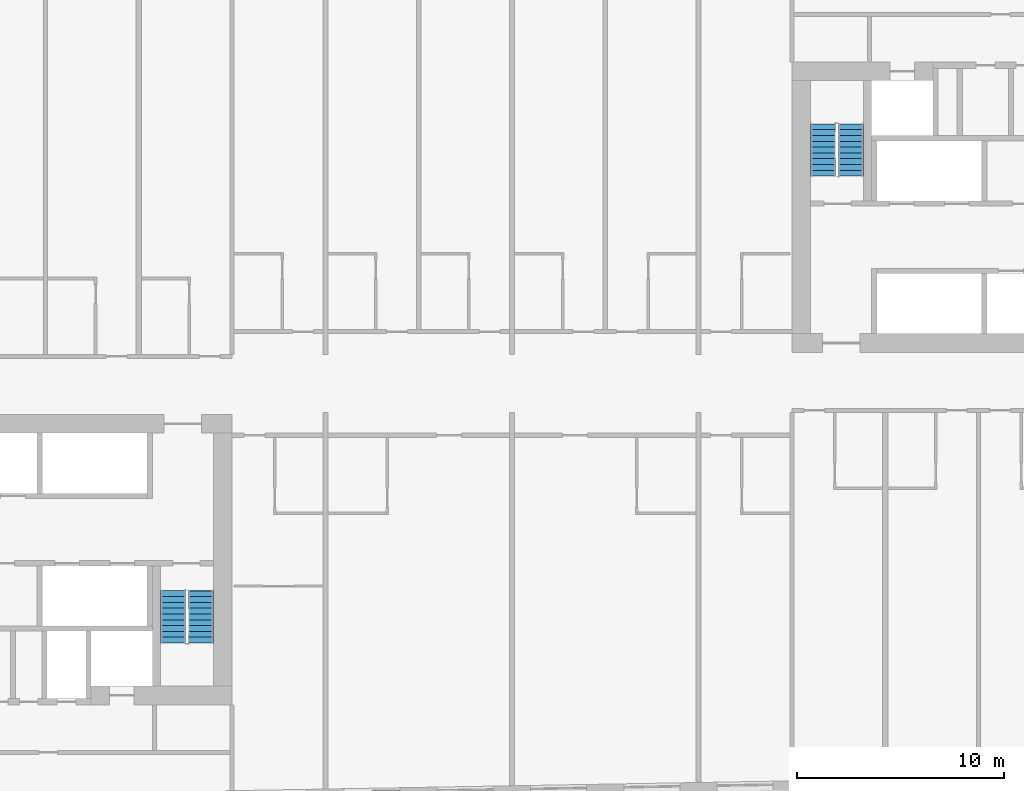
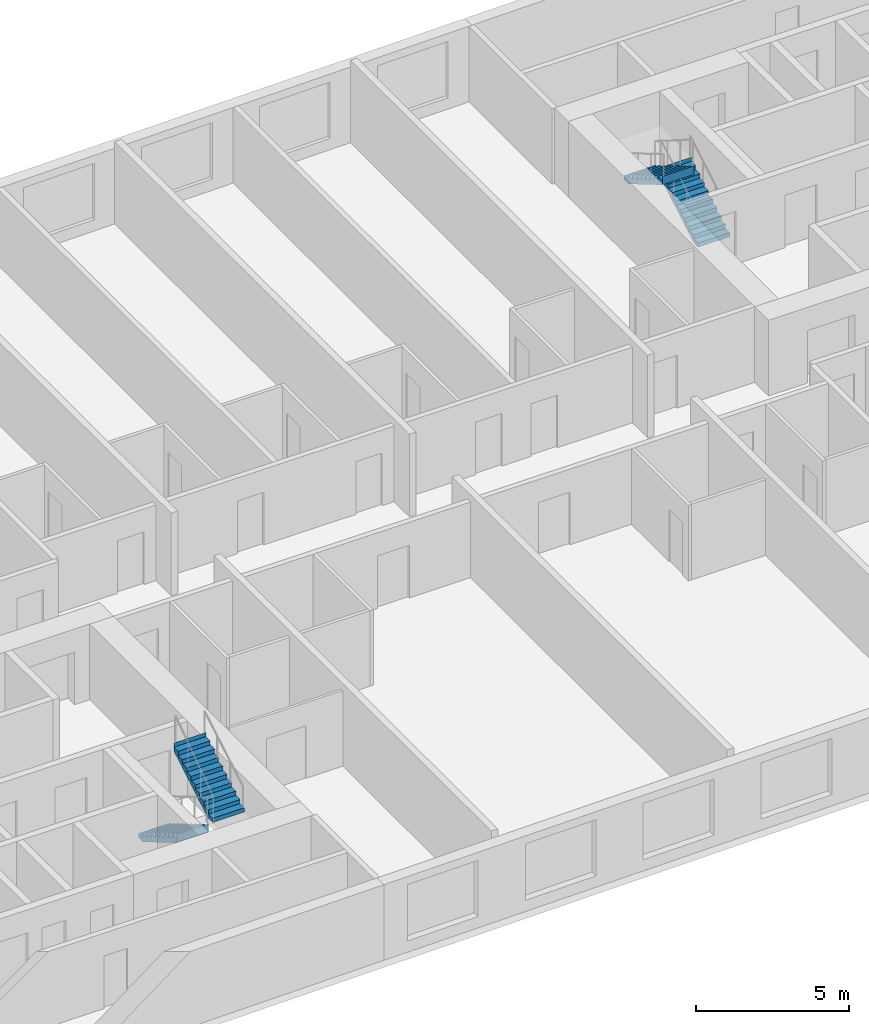
# One storey, part 9 of 11: 4 stair flights, 2 elements without a shape of their own.
"""IFC4 building model written with IfcOpenShell, lengths in metres."""

from ifc_helpers import new_model, si_unit, direction, frame, origin, place, context, subcontext, project, spatial, faceted_brep, material, type_object, element, aggregate, save


model = new_model("IFC4")

# Units and contexts
model_context = context("Model", 3, precision=1e-05, world=origin(), true_north=direction((0.0, 1.0)))
body_context = subcontext(model_context, "Body", "Model", "MODEL_VIEW")
ifc_project = project(units=[si_unit("LENGTHUNIT", "METRE"), si_unit("AREAUNIT", "SQUARE_METRE"), si_unit("VOLUMEUNIT", "CUBIC_METRE"), si_unit("PLANEANGLEUNIT", "RADIAN"), si_unit("MASSUNIT", "GRAM", prefix="KILO")], contexts=[model_context])

# Site, building, storey
site_placement = place(None, origin())
site = spatial("IfcSite", under=ifc_project, at=site_placement, CompositionType="ELEMENT")
building_placement = place(site_placement, origin())
building = spatial("IfcBuilding", under=site, at=building_placement, Name="Kajstack Hotel Tower", CompositionType="ELEMENT")
storey_placement = place(building_placement, frame((0.0, 0.0, 240.800048828125)))
storey = spatial("IfcBuildingStorey", under=building, at=storey_placement, Name="L59", CompositionType="ELEMENT", Elevation=240.800048828125)

# Stair, stair flights
ifc_material = material(Name="Concrete C40/50", Category="concrete")
stair_type = type_object("IfcStairType", Name="Exit stair 1200", PredefinedType="HALF_TURN_STAIR", material=ifc_material)
stair_1_placement = place(storey_placement, origin())
stair_1 = element("IfcStair", 1, at=stair_1_placement, inside=storey, type_object=stair_type, Name="L59 stair W2", PredefinedType="HALF_TURN_STAIR")
stair_flight_type = type_object("IfcStairFlightType", Name="Exit stair flight 1200", PredefinedType="STRAIGHT", material=ifc_material)
stair_flight_1_placement = place(storey_placement, frame((-16.35009765625, -10.0, 0.0), z_axis=(0.0, 0.0, 1.0), x_axis=(0.0, -1.0, 0.0)))
stair_flight_1 = element("IfcStairFlight", 2, at=stair_flight_1_placement, type_object=stair_flight_type, Name="W2 flight 1", NumberOfRisers=10, NumberOfTreads=9, PredefinedType="STRAIGHT", RiserHeight=0.165, TreadLength=0.28, context=body_context, shape_type="Brep", body=[
    faceted_brep([(0.295654296875, -0.60009765625, 0.0), (2.5205078125, -0.60009765625, 1.31103515625), (2.5205078125, -0.60009765625, 1.64990234375), (2.52001953125, -0.60009765625, 1.64990234375), (2.52001953125, -0.60009765625, 1.485107421875), (2.239990234375, -0.60009765625, 1.485107421875), (2.239990234375, -0.60009765625, 1.320068359375), (1.9599609375, -0.60009765625, 1.320068359375), (1.9599609375, -0.60009765625, 1.155029296875), (1.679931640625, -0.60009765625, 1.155029296875), (1.679931640625, -0.60009765625, 0.989990234375), (1.39990234375, -0.60009765625, 0.989990234375), (1.39990234375, -0.60009765625, 0.824951171875), (1.1201171875, -0.60009765625, 0.824951171875), (1.1201171875, -0.60009765625, 0.659912109375), (0.840087890625, -0.60009765625, 0.659912109375), (0.840087890625, -0.60009765625, 0.4951171875), (0.56005859375, -0.60009765625, 0.4951171875), (0.56005859375, -0.60009765625, 0.330078125), (0.280029296875, -0.60009765625, 0.330078125), (0.280029296875, -0.60009765625, 0.1650390625), (-0.00048828125, -0.60009765625, 0.1650390625), (-0.00048828125, -0.60009765625, 0.0), (-0.00048828125, 0.60009765625, 0.0), (-0.00048828125, 0.60009765625, 0.1650390625), (0.280029296875, 0.60009765625, 0.1650390625), (0.280029296875, 0.60009765625, 0.330078125), (0.56005859375, 0.60009765625, 0.330078125), (0.56005859375, 0.60009765625, 0.4951171875), (0.840087890625, 0.60009765625, 0.4951171875), (0.840087890625, 0.60009765625, 0.659912109375), (1.1201171875, 0.60009765625, 0.659912109375), (1.1201171875, 0.60009765625, 0.824951171875), (1.39990234375, 0.60009765625, 0.824951171875), (1.39990234375, 0.60009765625, 0.989990234375), (1.679931640625, 0.60009765625, 0.989990234375), (1.679931640625, 0.60009765625, 1.155029296875), (1.9599609375, 0.60009765625, 1.155029296875), (1.9599609375, 0.60009765625, 1.320068359375), (2.239990234375, 0.60009765625, 1.320068359375), (2.239990234375, 0.60009765625, 1.485107421875), (2.52001953125, 0.60009765625, 1.485107421875), (2.52001953125, 0.60009765625, 1.64990234375), (2.5205078125, 0.60009765625, 1.64990234375), (2.5205078125, 0.60009765625, 1.31103515625), (0.295654296875, 0.60009765625, 0.0), (-0.00048828125, -0.300048828125, 0.1650390625), (-0.00048828125, 0.0, 0.1650390625), (-0.00048828125, 0.300048828125, 0.1650390625), (-0.00048828125, 0.300048828125, 0.0), (-0.00048828125, 0.0, 0.0), (-0.00048828125, -0.300048828125, 0.0), (0.280029296875, -0.300048828125, 0.1650390625), (0.280029296875, 0.0, 0.1650390625), (0.280029296875, 0.300048828125, 0.1650390625), (0.280029296875, -0.300048828125, 0.330078125), (0.280029296875, 0.0, 0.330078125), (0.280029296875, 0.300048828125, 0.330078125), (0.56005859375, -0.300048828125, 0.330078125), (0.56005859375, 0.0, 0.330078125), (0.56005859375, 0.300048828125, 0.330078125), (0.56005859375, -0.300048828125, 0.4951171875), (0.56005859375, 0.0, 0.4951171875), (0.56005859375, 0.300048828125, 0.4951171875), (0.840087890625, -0.300048828125, 0.4951171875), (0.840087890625, 0.0, 0.4951171875), (0.840087890625, 0.300048828125, 0.4951171875), (0.840087890625, -0.300048828125, 0.659912109375), (0.840087890625, 0.0, 0.659912109375), (0.840087890625, 0.300048828125, 0.659912109375), (1.1201171875, -0.300048828125, 0.659912109375), (1.1201171875, 0.0, 0.659912109375), (1.1201171875, 0.300048828125, 0.659912109375), (1.1201171875, -0.300048828125, 0.824951171875), (1.1201171875, 0.0, 0.824951171875), (1.1201171875, 0.300048828125, 0.824951171875), (1.39990234375, -0.300048828125, 0.824951171875), (1.39990234375, 0.0, 0.824951171875), (1.39990234375, 0.300048828125, 0.824951171875), (1.39990234375, -0.300048828125, 0.989990234375), (1.39990234375, 0.0, 0.989990234375), (1.39990234375, 0.300048828125, 0.989990234375), (1.679931640625, -0.300048828125, 0.989990234375), (1.679931640625, 0.0, 0.989990234375), (1.679931640625, 0.300048828125, 0.989990234375), (1.679931640625, -0.300048828125, 1.155029296875), (1.679931640625, 0.0, 1.155029296875), (1.679931640625, 0.300048828125, 1.155029296875), (1.9599609375, -0.300048828125, 1.155029296875), (1.9599609375, 0.0, 1.155029296875), (1.9599609375, 0.300048828125, 1.155029296875), (1.9599609375, -0.300048828125, 1.320068359375), (1.9599609375, 0.0, 1.320068359375), (1.9599609375, 0.300048828125, 1.320068359375), (2.239990234375, -0.300048828125, 1.320068359375), (2.239990234375, 0.0, 1.320068359375), (2.239990234375, 0.300048828125, 1.320068359375), (2.239990234375, -0.300048828125, 1.485107421875), (2.239990234375, 0.0, 1.485107421875), (2.239990234375, 0.300048828125, 1.485107421875), (2.52001953125, -0.300048828125, 1.485107421875), (2.52001953125, 0.0, 1.485107421875), (2.52001953125, 0.300048828125, 1.485107421875), (2.52001953125, -0.300048828125, 1.64990234375), (2.52001953125, 0.0, 1.64990234375), (2.52001953125, 0.300048828125, 1.64990234375), (2.5205078125, -0.300048828125, 1.64990234375), (2.5205078125, 0.0, 1.64990234375), (2.5205078125, 0.300048828125, 1.64990234375), (2.5205078125, -0.300048828125, 1.31103515625), (2.5205078125, 0.0, 1.31103515625), (2.5205078125, 0.300048828125, 1.31103515625), (0.295654296875, -0.300048828125, 0.0), (0.295654296875, 0.0, 0.0), (0.295654296875, 0.300048828125, 0.0)], [[[0, 1, 2, 3, 4, 5, 6, 7, 8, 9, 10, 11, 12, 13, 14, 15, 16, 17, 18, 19, 20, 21, 22]], [[23, 24, 25, 26, 27, 28, 29, 30, 31, 32, 33, 34, 35, 36, 37, 38, 39, 40, 41, 42, 43, 44, 45]], [[21, 46, 47, 48, 24, 23, 49, 50, 51, 22]], [[20, 52, 53, 54, 25, 24, 48, 47, 46, 21]], [[19, 55, 56, 57, 26, 25, 54, 53, 52, 20]], [[18, 58, 59, 60, 27, 26, 57, 56, 55, 19]], [[17, 61, 62, 63, 28, 27, 60, 59, 58, 18]], [[16, 64, 65, 66, 29, 28, 63, 62, 61, 17]], [[15, 67, 68, 69, 30, 29, 66, 65, 64, 16]], [[14, 70, 71, 72, 31, 30, 69, 68, 67, 15]], [[13, 73, 74, 75, 32, 31, 72, 71, 70, 14]], [[12, 76, 77, 78, 33, 32, 75, 74, 73, 13]], [[11, 79, 80, 81, 34, 33, 78, 77, 76, 12]], [[10, 82, 83, 84, 35, 34, 81, 80, 79, 11]], [[9, 85, 86, 87, 36, 35, 84, 83, 82, 10]], [[8, 88, 89, 90, 37, 36, 87, 86, 85, 9]], [[7, 91, 92, 93, 38, 37, 90, 89, 88, 8]], [[6, 94, 95, 96, 39, 38, 93, 92, 91, 7]], [[5, 97, 98, 99, 40, 39, 96, 95, 94, 6]], [[4, 100, 101, 102, 41, 40, 99, 98, 97, 5]], [[3, 103, 104, 105, 42, 41, 102, 101, 100, 4]], [[2, 106, 107, 108, 43, 42, 105, 104, 103, 3]], [[1, 109, 110, 111, 44, 43, 108, 107, 106, 2]], [[0, 112, 113, 114, 45, 44, 111, 110, 109, 1]], [[22, 51, 50, 49, 23, 45, 114, 113, 112, 0]]]),
])
stair_flight_2_placement = place(storey_placement, frame((-15.0, -12.52001953125, 1.64990234375), z_axis=(0.0, 0.0, 1.0), x_axis=(0.0, 1.0, 0.0)))
stair_flight_2 = element("IfcStairFlight", 3, at=stair_flight_2_placement, type_object=stair_flight_type, Name="W2 flight 2", NumberOfRisers=10, NumberOfTreads=9, PredefinedType="STRAIGHT", RiserHeight=0.165, TreadLength=0.28, context=body_context, shape_type="Brep", body=[
    faceted_brep([(0.295654296875, -0.60009765625, 0.0), (2.5205078125, -0.60009765625, 1.31103515625), (2.5205078125, -0.60009765625, 1.64990234375), (2.52001953125, -0.60009765625, 1.64990234375), (2.52001953125, -0.60009765625, 1.485107421875), (2.239990234375, -0.60009765625, 1.485107421875), (2.239990234375, -0.60009765625, 1.320068359375), (1.9599609375, -0.60009765625, 1.320068359375), (1.9599609375, -0.60009765625, 1.155029296875), (1.679931640625, -0.60009765625, 1.155029296875), (1.679931640625, -0.60009765625, 0.989990234375), (1.39990234375, -0.60009765625, 0.989990234375), (1.39990234375, -0.60009765625, 0.824951171875), (1.1201171875, -0.60009765625, 0.824951171875), (1.1201171875, -0.60009765625, 0.659912109375), (0.840087890625, -0.60009765625, 0.659912109375), (0.840087890625, -0.60009765625, 0.4951171875), (0.56005859375, -0.60009765625, 0.4951171875), (0.56005859375, -0.60009765625, 0.330078125), (0.280029296875, -0.60009765625, 0.330078125), (0.280029296875, -0.60009765625, 0.1650390625), (-0.00048828125, -0.60009765625, 0.1650390625), (-0.00048828125, -0.60009765625, 0.0), (-0.00048828125, 0.60009765625, 0.0), (-0.00048828125, 0.60009765625, 0.1650390625), (0.280029296875, 0.60009765625, 0.1650390625), (0.280029296875, 0.60009765625, 0.330078125), (0.56005859375, 0.60009765625, 0.330078125), (0.56005859375, 0.60009765625, 0.4951171875), (0.840087890625, 0.60009765625, 0.4951171875), (0.840087890625, 0.60009765625, 0.659912109375), (1.1201171875, 0.60009765625, 0.659912109375), (1.1201171875, 0.60009765625, 0.824951171875), (1.39990234375, 0.60009765625, 0.824951171875), (1.39990234375, 0.60009765625, 0.989990234375), (1.679931640625, 0.60009765625, 0.989990234375), (1.679931640625, 0.60009765625, 1.155029296875), (1.9599609375, 0.60009765625, 1.155029296875), (1.9599609375, 0.60009765625, 1.320068359375), (2.239990234375, 0.60009765625, 1.320068359375), (2.239990234375, 0.60009765625, 1.485107421875), (2.52001953125, 0.60009765625, 1.485107421875), (2.52001953125, 0.60009765625, 1.64990234375), (2.5205078125, 0.60009765625, 1.64990234375), (2.5205078125, 0.60009765625, 1.31103515625), (0.295654296875, 0.60009765625, 0.0), (-0.00048828125, -0.300048828125, 0.1650390625), (-0.00048828125, 0.0, 0.1650390625), (-0.00048828125, 0.300048828125, 0.1650390625), (-0.00048828125, 0.300048828125, 0.0), (-0.00048828125, 0.0, 0.0), (-0.00048828125, -0.300048828125, 0.0), (0.280029296875, -0.300048828125, 0.1650390625), (0.280029296875, 0.0, 0.1650390625), (0.280029296875, 0.300048828125, 0.1650390625), (0.280029296875, -0.300048828125, 0.330078125), (0.280029296875, 0.0, 0.330078125), (0.280029296875, 0.300048828125, 0.330078125), (0.56005859375, -0.300048828125, 0.330078125), (0.56005859375, 0.0, 0.330078125), (0.56005859375, 0.300048828125, 0.330078125), (0.56005859375, -0.300048828125, 0.4951171875), (0.56005859375, 0.0, 0.4951171875), (0.56005859375, 0.300048828125, 0.4951171875), (0.840087890625, -0.300048828125, 0.4951171875), (0.840087890625, 0.0, 0.4951171875), (0.840087890625, 0.300048828125, 0.4951171875), (0.840087890625, -0.300048828125, 0.659912109375), (0.840087890625, 0.0, 0.659912109375), (0.840087890625, 0.300048828125, 0.659912109375), (1.1201171875, -0.300048828125, 0.659912109375), (1.1201171875, 0.0, 0.659912109375), (1.1201171875, 0.300048828125, 0.659912109375), (1.1201171875, -0.300048828125, 0.824951171875), (1.1201171875, 0.0, 0.824951171875), (1.1201171875, 0.300048828125, 0.824951171875), (1.39990234375, -0.300048828125, 0.824951171875), (1.39990234375, 0.0, 0.824951171875), (1.39990234375, 0.300048828125, 0.824951171875), (1.39990234375, -0.300048828125, 0.989990234375), (1.39990234375, 0.0, 0.989990234375), (1.39990234375, 0.300048828125, 0.989990234375), (1.679931640625, -0.300048828125, 0.989990234375), (1.679931640625, 0.0, 0.989990234375), (1.679931640625, 0.300048828125, 0.989990234375), (1.679931640625, -0.300048828125, 1.155029296875), (1.679931640625, 0.0, 1.155029296875), (1.679931640625, 0.300048828125, 1.155029296875), (1.9599609375, -0.300048828125, 1.155029296875), (1.9599609375, 0.0, 1.155029296875), (1.9599609375, 0.300048828125, 1.155029296875), (1.9599609375, -0.300048828125, 1.320068359375), (1.9599609375, 0.0, 1.320068359375), (1.9599609375, 0.300048828125, 1.320068359375), (2.239990234375, -0.300048828125, 1.320068359375), (2.239990234375, 0.0, 1.320068359375), (2.239990234375, 0.300048828125, 1.320068359375), (2.239990234375, -0.300048828125, 1.485107421875), (2.239990234375, 0.0, 1.485107421875), (2.239990234375, 0.300048828125, 1.485107421875), (2.52001953125, -0.300048828125, 1.485107421875), (2.52001953125, 0.0, 1.485107421875), (2.52001953125, 0.300048828125, 1.485107421875), (2.52001953125, -0.300048828125, 1.64990234375), (2.52001953125, 0.0, 1.64990234375), (2.52001953125, 0.300048828125, 1.64990234375), (2.5205078125, -0.300048828125, 1.64990234375), (2.5205078125, 0.0, 1.64990234375), (2.5205078125, 0.300048828125, 1.64990234375), (2.5205078125, -0.300048828125, 1.31103515625), (2.5205078125, 0.0, 1.31103515625), (2.5205078125, 0.300048828125, 1.31103515625), (0.295654296875, -0.300048828125, 0.0), (0.295654296875, 0.0, 0.0), (0.295654296875, 0.300048828125, 0.0)], [[[0, 1, 2, 3, 4, 5, 6, 7, 8, 9, 10, 11, 12, 13, 14, 15, 16, 17, 18, 19, 20, 21, 22]], [[23, 24, 25, 26, 27, 28, 29, 30, 31, 32, 33, 34, 35, 36, 37, 38, 39, 40, 41, 42, 43, 44, 45]], [[21, 46, 47, 48, 24, 23, 49, 50, 51, 22]], [[20, 52, 53, 54, 25, 24, 48, 47, 46, 21]], [[19, 55, 56, 57, 26, 25, 54, 53, 52, 20]], [[18, 58, 59, 60, 27, 26, 57, 56, 55, 19]], [[17, 61, 62, 63, 28, 27, 60, 59, 58, 18]], [[16, 64, 65, 66, 29, 28, 63, 62, 61, 17]], [[15, 67, 68, 69, 30, 29, 66, 65, 64, 16]], [[14, 70, 71, 72, 31, 30, 69, 68, 67, 15]], [[13, 73, 74, 75, 32, 31, 72, 71, 70, 14]], [[12, 76, 77, 78, 33, 32, 75, 74, 73, 13]], [[11, 79, 80, 81, 34, 33, 78, 77, 76, 12]], [[10, 82, 83, 84, 35, 34, 81, 80, 79, 11]], [[9, 85, 86, 87, 36, 35, 84, 83, 82, 10]], [[8, 88, 89, 90, 37, 36, 87, 86, 85, 9]], [[7, 91, 92, 93, 38, 37, 90, 89, 88, 8]], [[6, 94, 95, 96, 39, 38, 93, 92, 91, 7]], [[5, 97, 98, 99, 40, 39, 96, 95, 94, 6]], [[4, 100, 101, 102, 41, 40, 99, 98, 97, 5]], [[3, 103, 104, 105, 42, 41, 102, 101, 100, 4]], [[2, 106, 107, 108, 43, 42, 105, 104, 103, 3]], [[1, 109, 110, 111, 44, 43, 108, 107, 106, 2]], [[0, 112, 113, 114, 45, 44, 111, 110, 109, 1]], [[22, 51, 50, 49, 23, 45, 114, 113, 112, 0]]]),
])
aggregate(stair_1, [stair_flight_1, stair_flight_2])

stair_2_placement = place(storey_placement, origin())
stair_2 = element("IfcStair", 4, at=stair_2_placement, inside=storey, type_object=stair_type, Name="L59 stair E2", PredefinedType="HALF_TURN_STAIR")
stair_flight_3_placement = place(storey_placement, frame((16.35009765625, 10.0, 0.0), z_axis=(0.0, 0.0, 1.0), x_axis=(0.0, 1.0, 0.0)))
stair_flight_3 = element("IfcStairFlight", 5, at=stair_flight_3_placement, type_object=stair_flight_type, Name="E2 flight 1", NumberOfRisers=10, NumberOfTreads=9, PredefinedType="STRAIGHT", RiserHeight=0.165, TreadLength=0.28, context=body_context, shape_type="Brep", body=[
    faceted_brep([(0.295654296875, -0.60009765625, 0.0), (2.5205078125, -0.60009765625, 1.31103515625), (2.5205078125, -0.60009765625, 1.64990234375), (2.52001953125, -0.60009765625, 1.64990234375), (2.52001953125, -0.60009765625, 1.485107421875), (2.239990234375, -0.60009765625, 1.485107421875), (2.239990234375, -0.60009765625, 1.320068359375), (1.9599609375, -0.60009765625, 1.320068359375), (1.9599609375, -0.60009765625, 1.155029296875), (1.679931640625, -0.60009765625, 1.155029296875), (1.679931640625, -0.60009765625, 0.989990234375), (1.39990234375, -0.60009765625, 0.989990234375), (1.39990234375, -0.60009765625, 0.824951171875), (1.1201171875, -0.60009765625, 0.824951171875), (1.1201171875, -0.60009765625, 0.659912109375), (0.840087890625, -0.60009765625, 0.659912109375), (0.840087890625, -0.60009765625, 0.4951171875), (0.56005859375, -0.60009765625, 0.4951171875), (0.56005859375, -0.60009765625, 0.330078125), (0.280029296875, -0.60009765625, 0.330078125), (0.280029296875, -0.60009765625, 0.1650390625), (-0.00048828125, -0.60009765625, 0.1650390625), (-0.00048828125, -0.60009765625, 0.0), (-0.00048828125, 0.60009765625, 0.0), (-0.00048828125, 0.60009765625, 0.1650390625), (0.280029296875, 0.60009765625, 0.1650390625), (0.280029296875, 0.60009765625, 0.330078125), (0.56005859375, 0.60009765625, 0.330078125), (0.56005859375, 0.60009765625, 0.4951171875), (0.840087890625, 0.60009765625, 0.4951171875), (0.840087890625, 0.60009765625, 0.659912109375), (1.1201171875, 0.60009765625, 0.659912109375), (1.1201171875, 0.60009765625, 0.824951171875), (1.39990234375, 0.60009765625, 0.824951171875), (1.39990234375, 0.60009765625, 0.989990234375), (1.679931640625, 0.60009765625, 0.989990234375), (1.679931640625, 0.60009765625, 1.155029296875), (1.9599609375, 0.60009765625, 1.155029296875), (1.9599609375, 0.60009765625, 1.320068359375), (2.239990234375, 0.60009765625, 1.320068359375), (2.239990234375, 0.60009765625, 1.485107421875), (2.52001953125, 0.60009765625, 1.485107421875), (2.52001953125, 0.60009765625, 1.64990234375), (2.5205078125, 0.60009765625, 1.64990234375), (2.5205078125, 0.60009765625, 1.31103515625), (0.295654296875, 0.60009765625, 0.0), (-0.00048828125, -0.300048828125, 0.1650390625), (-0.00048828125, 0.0, 0.1650390625), (-0.00048828125, 0.300048828125, 0.1650390625), (-0.00048828125, 0.300048828125, 0.0), (-0.00048828125, 0.0, 0.0), (-0.00048828125, -0.300048828125, 0.0), (0.280029296875, -0.300048828125, 0.1650390625), (0.280029296875, 0.0, 0.1650390625), (0.280029296875, 0.300048828125, 0.1650390625), (0.280029296875, -0.300048828125, 0.330078125), (0.280029296875, 0.0, 0.330078125), (0.280029296875, 0.300048828125, 0.330078125), (0.56005859375, -0.300048828125, 0.330078125), (0.56005859375, 0.0, 0.330078125), (0.56005859375, 0.300048828125, 0.330078125), (0.56005859375, -0.300048828125, 0.4951171875), (0.56005859375, 0.0, 0.4951171875), (0.56005859375, 0.300048828125, 0.4951171875), (0.840087890625, -0.300048828125, 0.4951171875), (0.840087890625, 0.0, 0.4951171875), (0.840087890625, 0.300048828125, 0.4951171875), (0.840087890625, -0.300048828125, 0.659912109375), (0.840087890625, 0.0, 0.659912109375), (0.840087890625, 0.300048828125, 0.659912109375), (1.1201171875, -0.300048828125, 0.659912109375), (1.1201171875, 0.0, 0.659912109375), (1.1201171875, 0.300048828125, 0.659912109375), (1.1201171875, -0.300048828125, 0.824951171875), (1.1201171875, 0.0, 0.824951171875), (1.1201171875, 0.300048828125, 0.824951171875), (1.39990234375, -0.300048828125, 0.824951171875), (1.39990234375, 0.0, 0.824951171875), (1.39990234375, 0.300048828125, 0.824951171875), (1.39990234375, -0.300048828125, 0.989990234375), (1.39990234375, 0.0, 0.989990234375), (1.39990234375, 0.300048828125, 0.989990234375), (1.679931640625, -0.300048828125, 0.989990234375), (1.679931640625, 0.0, 0.989990234375), (1.679931640625, 0.300048828125, 0.989990234375), (1.679931640625, -0.300048828125, 1.155029296875), (1.679931640625, 0.0, 1.155029296875), (1.679931640625, 0.300048828125, 1.155029296875), (1.9599609375, -0.300048828125, 1.155029296875), (1.9599609375, 0.0, 1.155029296875), (1.9599609375, 0.300048828125, 1.155029296875), (1.9599609375, -0.300048828125, 1.320068359375), (1.9599609375, 0.0, 1.320068359375), (1.9599609375, 0.300048828125, 1.320068359375), (2.239990234375, -0.300048828125, 1.320068359375), (2.239990234375, 0.0, 1.320068359375), (2.239990234375, 0.300048828125, 1.320068359375), (2.239990234375, -0.300048828125, 1.485107421875), (2.239990234375, 0.0, 1.485107421875), (2.239990234375, 0.300048828125, 1.485107421875), (2.52001953125, -0.300048828125, 1.485107421875), (2.52001953125, 0.0, 1.485107421875), (2.52001953125, 0.300048828125, 1.485107421875), (2.52001953125, -0.300048828125, 1.64990234375), (2.52001953125, 0.0, 1.64990234375), (2.52001953125, 0.300048828125, 1.64990234375), (2.5205078125, -0.300048828125, 1.64990234375), (2.5205078125, 0.0, 1.64990234375), (2.5205078125, 0.300048828125, 1.64990234375), (2.5205078125, -0.300048828125, 1.31103515625), (2.5205078125, 0.0, 1.31103515625), (2.5205078125, 0.300048828125, 1.31103515625), (0.295654296875, -0.300048828125, 0.0), (0.295654296875, 0.0, 0.0), (0.295654296875, 0.300048828125, 0.0)], [[[0, 1, 2, 3, 4, 5, 6, 7, 8, 9, 10, 11, 12, 13, 14, 15, 16, 17, 18, 19, 20, 21, 22]], [[23, 24, 25, 26, 27, 28, 29, 30, 31, 32, 33, 34, 35, 36, 37, 38, 39, 40, 41, 42, 43, 44, 45]], [[21, 46, 47, 48, 24, 23, 49, 50, 51, 22]], [[20, 52, 53, 54, 25, 24, 48, 47, 46, 21]], [[19, 55, 56, 57, 26, 25, 54, 53, 52, 20]], [[18, 58, 59, 60, 27, 26, 57, 56, 55, 19]], [[17, 61, 62, 63, 28, 27, 60, 59, 58, 18]], [[16, 64, 65, 66, 29, 28, 63, 62, 61, 17]], [[15, 67, 68, 69, 30, 29, 66, 65, 64, 16]], [[14, 70, 71, 72, 31, 30, 69, 68, 67, 15]], [[13, 73, 74, 75, 32, 31, 72, 71, 70, 14]], [[12, 76, 77, 78, 33, 32, 75, 74, 73, 13]], [[11, 79, 80, 81, 34, 33, 78, 77, 76, 12]], [[10, 82, 83, 84, 35, 34, 81, 80, 79, 11]], [[9, 85, 86, 87, 36, 35, 84, 83, 82, 10]], [[8, 88, 89, 90, 37, 36, 87, 86, 85, 9]], [[7, 91, 92, 93, 38, 37, 90, 89, 88, 8]], [[6, 94, 95, 96, 39, 38, 93, 92, 91, 7]], [[5, 97, 98, 99, 40, 39, 96, 95, 94, 6]], [[4, 100, 101, 102, 41, 40, 99, 98, 97, 5]], [[3, 103, 104, 105, 42, 41, 102, 101, 100, 4]], [[2, 106, 107, 108, 43, 42, 105, 104, 103, 3]], [[1, 109, 110, 111, 44, 43, 108, 107, 106, 2]], [[0, 112, 113, 114, 45, 44, 111, 110, 109, 1]], [[22, 51, 50, 49, 23, 45, 114, 113, 112, 0]]]),
])
stair_flight_4_placement = place(storey_placement, frame((15.0, 12.52001953125, 1.64990234375), z_axis=(0.0, 0.0, 1.0), x_axis=(0.0, -1.0, 0.0)))
stair_flight_4 = element("IfcStairFlight", 6, at=stair_flight_4_placement, type_object=stair_flight_type, Name="E2 flight 2", NumberOfRisers=10, NumberOfTreads=9, PredefinedType="STRAIGHT", RiserHeight=0.165, TreadLength=0.28, context=body_context, shape_type="Brep", body=[
    faceted_brep([(0.295654296875, -0.60009765625, 0.0), (2.5205078125, -0.60009765625, 1.31103515625), (2.5205078125, -0.60009765625, 1.64990234375), (2.52001953125, -0.60009765625, 1.64990234375), (2.52001953125, -0.60009765625, 1.485107421875), (2.239990234375, -0.60009765625, 1.485107421875), (2.239990234375, -0.60009765625, 1.320068359375), (1.9599609375, -0.60009765625, 1.320068359375), (1.9599609375, -0.60009765625, 1.155029296875), (1.679931640625, -0.60009765625, 1.155029296875), (1.679931640625, -0.60009765625, 0.989990234375), (1.39990234375, -0.60009765625, 0.989990234375), (1.39990234375, -0.60009765625, 0.824951171875), (1.1201171875, -0.60009765625, 0.824951171875), (1.1201171875, -0.60009765625, 0.659912109375), (0.840087890625, -0.60009765625, 0.659912109375), (0.840087890625, -0.60009765625, 0.4951171875), (0.56005859375, -0.60009765625, 0.4951171875), (0.56005859375, -0.60009765625, 0.330078125), (0.280029296875, -0.60009765625, 0.330078125), (0.280029296875, -0.60009765625, 0.1650390625), (-0.00048828125, -0.60009765625, 0.1650390625), (-0.00048828125, -0.60009765625, 0.0), (-0.00048828125, 0.60009765625, 0.0), (-0.00048828125, 0.60009765625, 0.1650390625), (0.280029296875, 0.60009765625, 0.1650390625), (0.280029296875, 0.60009765625, 0.330078125), (0.56005859375, 0.60009765625, 0.330078125), (0.56005859375, 0.60009765625, 0.4951171875), (0.840087890625, 0.60009765625, 0.4951171875), (0.840087890625, 0.60009765625, 0.659912109375), (1.1201171875, 0.60009765625, 0.659912109375), (1.1201171875, 0.60009765625, 0.824951171875), (1.39990234375, 0.60009765625, 0.824951171875), (1.39990234375, 0.60009765625, 0.989990234375), (1.679931640625, 0.60009765625, 0.989990234375), (1.679931640625, 0.60009765625, 1.155029296875), (1.9599609375, 0.60009765625, 1.155029296875), (1.9599609375, 0.60009765625, 1.320068359375), (2.239990234375, 0.60009765625, 1.320068359375), (2.239990234375, 0.60009765625, 1.485107421875), (2.52001953125, 0.60009765625, 1.485107421875), (2.52001953125, 0.60009765625, 1.64990234375), (2.5205078125, 0.60009765625, 1.64990234375), (2.5205078125, 0.60009765625, 1.31103515625), (0.295654296875, 0.60009765625, 0.0), (-0.00048828125, -0.300048828125, 0.1650390625), (-0.00048828125, 0.0, 0.1650390625), (-0.00048828125, 0.300048828125, 0.1650390625), (-0.00048828125, 0.300048828125, 0.0), (-0.00048828125, 0.0, 0.0), (-0.00048828125, -0.300048828125, 0.0), (0.280029296875, -0.300048828125, 0.1650390625), (0.280029296875, 0.0, 0.1650390625), (0.280029296875, 0.300048828125, 0.1650390625), (0.280029296875, -0.300048828125, 0.330078125), (0.280029296875, 0.0, 0.330078125), (0.280029296875, 0.300048828125, 0.330078125), (0.56005859375, -0.300048828125, 0.330078125), (0.56005859375, 0.0, 0.330078125), (0.56005859375, 0.300048828125, 0.330078125), (0.56005859375, -0.300048828125, 0.4951171875), (0.56005859375, 0.0, 0.4951171875), (0.56005859375, 0.300048828125, 0.4951171875), (0.840087890625, -0.300048828125, 0.4951171875), (0.840087890625, 0.0, 0.4951171875), (0.840087890625, 0.300048828125, 0.4951171875), (0.840087890625, -0.300048828125, 0.659912109375), (0.840087890625, 0.0, 0.659912109375), (0.840087890625, 0.300048828125, 0.659912109375), (1.1201171875, -0.300048828125, 0.659912109375), (1.1201171875, 0.0, 0.659912109375), (1.1201171875, 0.300048828125, 0.659912109375), (1.1201171875, -0.300048828125, 0.824951171875), (1.1201171875, 0.0, 0.824951171875), (1.1201171875, 0.300048828125, 0.824951171875), (1.39990234375, -0.300048828125, 0.824951171875), (1.39990234375, 0.0, 0.824951171875), (1.39990234375, 0.300048828125, 0.824951171875), (1.39990234375, -0.300048828125, 0.989990234375), (1.39990234375, 0.0, 0.989990234375), (1.39990234375, 0.300048828125, 0.989990234375), (1.679931640625, -0.300048828125, 0.989990234375), (1.679931640625, 0.0, 0.989990234375), (1.679931640625, 0.300048828125, 0.989990234375), (1.679931640625, -0.300048828125, 1.155029296875), (1.679931640625, 0.0, 1.155029296875), (1.679931640625, 0.300048828125, 1.155029296875), (1.9599609375, -0.300048828125, 1.155029296875), (1.9599609375, 0.0, 1.155029296875), (1.9599609375, 0.300048828125, 1.155029296875), (1.9599609375, -0.300048828125, 1.320068359375), (1.9599609375, 0.0, 1.320068359375), (1.9599609375, 0.300048828125, 1.320068359375), (2.239990234375, -0.300048828125, 1.320068359375), (2.239990234375, 0.0, 1.320068359375), (2.239990234375, 0.300048828125, 1.320068359375), (2.239990234375, -0.300048828125, 1.485107421875), (2.239990234375, 0.0, 1.485107421875), (2.239990234375, 0.300048828125, 1.485107421875), (2.52001953125, -0.300048828125, 1.485107421875), (2.52001953125, 0.0, 1.485107421875), (2.52001953125, 0.300048828125, 1.485107421875), (2.52001953125, -0.300048828125, 1.64990234375), (2.52001953125, 0.0, 1.64990234375), (2.52001953125, 0.300048828125, 1.64990234375), (2.5205078125, -0.300048828125, 1.64990234375), (2.5205078125, 0.0, 1.64990234375), (2.5205078125, 0.300048828125, 1.64990234375), (2.5205078125, -0.300048828125, 1.31103515625), (2.5205078125, 0.0, 1.31103515625), (2.5205078125, 0.300048828125, 1.31103515625), (0.295654296875, -0.300048828125, 0.0), (0.295654296875, 0.0, 0.0), (0.295654296875, 0.300048828125, 0.0)], [[[0, 1, 2, 3, 4, 5, 6, 7, 8, 9, 10, 11, 12, 13, 14, 15, 16, 17, 18, 19, 20, 21, 22]], [[23, 24, 25, 26, 27, 28, 29, 30, 31, 32, 33, 34, 35, 36, 37, 38, 39, 40, 41, 42, 43, 44, 45]], [[21, 46, 47, 48, 24, 23, 49, 50, 51, 22]], [[20, 52, 53, 54, 25, 24, 48, 47, 46, 21]], [[19, 55, 56, 57, 26, 25, 54, 53, 52, 20]], [[18, 58, 59, 60, 27, 26, 57, 56, 55, 19]], [[17, 61, 62, 63, 28, 27, 60, 59, 58, 18]], [[16, 64, 65, 66, 29, 28, 63, 62, 61, 17]], [[15, 67, 68, 69, 30, 29, 66, 65, 64, 16]], [[14, 70, 71, 72, 31, 30, 69, 68, 67, 15]], [[13, 73, 74, 75, 32, 31, 72, 71, 70, 14]], [[12, 76, 77, 78, 33, 32, 75, 74, 73, 13]], [[11, 79, 80, 81, 34, 33, 78, 77, 76, 12]], [[10, 82, 83, 84, 35, 34, 81, 80, 79, 11]], [[9, 85, 86, 87, 36, 35, 84, 83, 82, 10]], [[8, 88, 89, 90, 37, 36, 87, 86, 85, 9]], [[7, 91, 92, 93, 38, 37, 90, 89, 88, 8]], [[6, 94, 95, 96, 39, 38, 93, 92, 91, 7]], [[5, 97, 98, 99, 40, 39, 96, 95, 94, 6]], [[4, 100, 101, 102, 41, 40, 99, 98, 97, 5]], [[3, 103, 104, 105, 42, 41, 102, 101, 100, 4]], [[2, 106, 107, 108, 43, 42, 105, 104, 103, 3]], [[1, 109, 110, 111, 44, 43, 108, 107, 106, 2]], [[0, 112, 113, 114, 45, 44, 111, 110, 109, 1]], [[22, 51, 50, 49, 23, 45, 114, 113, 112, 0]]]),
])
aggregate(stair_2, [stair_flight_3, stair_flight_4])

save(model, "model.ifc")
